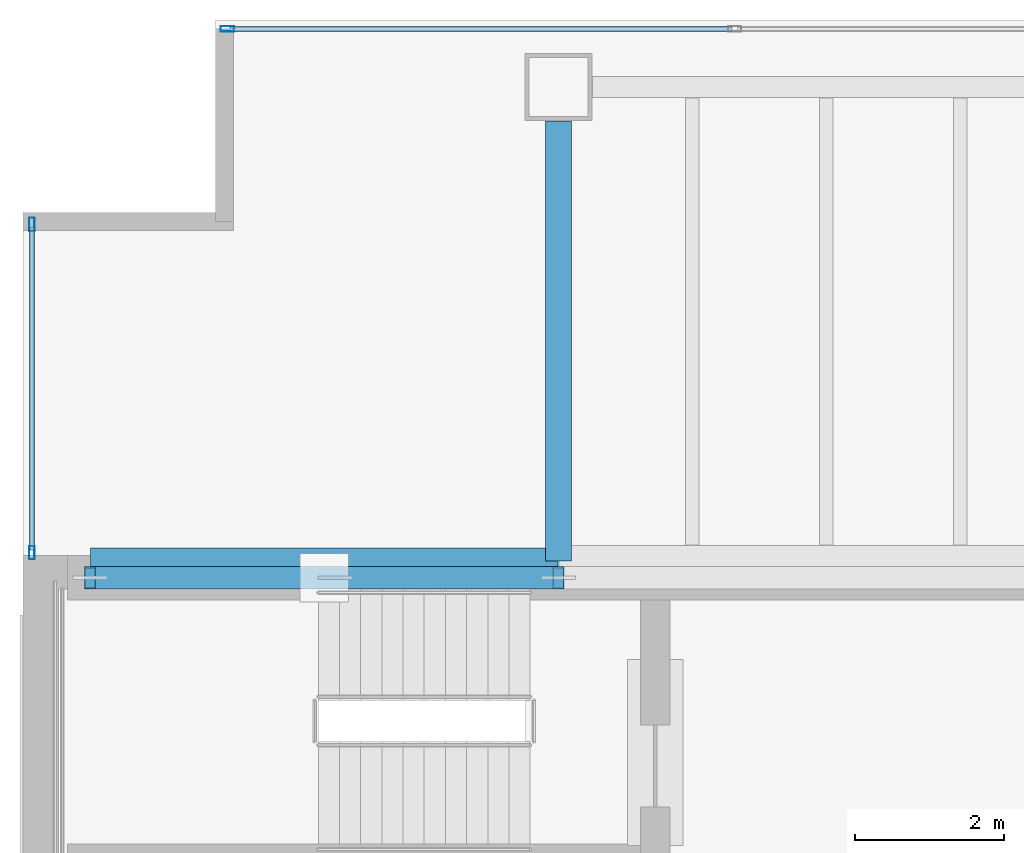
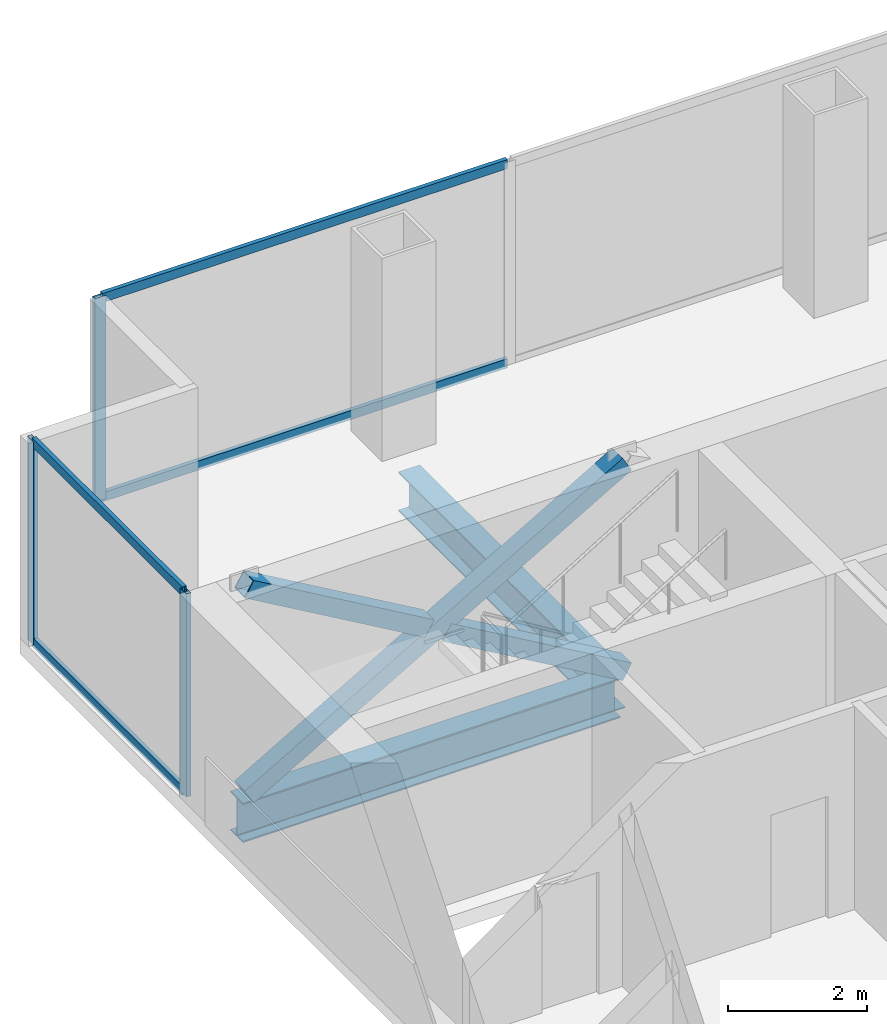
# One storey, part 16 of 23: 10 members, 2 beams, 2 elements without a shape of their own.
"""IFC4 building model written with IfcOpenShell, lengths in metres."""

from ifc_helpers import new_model, si_unit, direction, frame, origin, origin_2d, place, context, subcontext, project, spatial, hollow_rectangle, i_section, extrude, material, material_profile, profile_set, type_object, element, aggregate, save


model = new_model("IFC4")

# Units and contexts
model_context = context("Model", 3, precision=1e-05, world=origin(), true_north=direction((0.0, 1.0)))
body_context = subcontext(model_context, "Body", "Model", "MODEL_VIEW")
ifc_project = project(units=[si_unit("LENGTHUNIT", "METRE"), si_unit("AREAUNIT", "SQUARE_METRE"), si_unit("VOLUMEUNIT", "CUBIC_METRE"), si_unit("PLANEANGLEUNIT", "RADIAN"), si_unit("MASSUNIT", "GRAM", prefix="KILO")], contexts=[model_context])

# Site, building, storey
site_placement = place(None, origin())
site = spatial("IfcSite", under=ifc_project, at=site_placement, CompositionType="ELEMENT")
building_placement = place(site_placement, origin())
building = spatial("IfcBuilding", under=site, at=building_placement, Name="Cobrela Telecom Tower", CompositionType="ELEMENT")
storey_placement = place(building_placement, frame((0.0, 0.0, 140.699951171875)))
storey = spatial("IfcBuildingStorey", under=building, at=storey_placement, Name="L35", CompositionType="ELEMENT", Elevation=140.699951171875)

# Beams
ifc_material_1 = material(Name="Steel ASTM A992 Grade 50", Category="steel")
ifc_material_profile_1 = material_profile(ifc_material_1, i_section(OverallWidth=0.35595703125, OverallDepth=0.696044921875, WebThickness=0.015380859375, FlangeThickness=0.024658203125, FilletRadius=0.01806640625, at=origin_2d()), Name="W27X146")
ifc_profile_set_1 = profile_set([ifc_material_profile_1], Name="Steel ASTM A992 Grade 50")
beam_type = type_object("IfcBeamType", Name="BM-GIRD-05", PredefinedType="USERDEFINED", material=ifc_profile_set_1)
beam_1_placement = place(storey_placement, frame((0.905029296875, 35.919921875, -0.617919921875), z_axis=(1.0, 0.0, 0.0), x_axis=(0.0, 1.0, 0.0)))
element("IfcBeam", 1, at=beam_1_placement, inside=storey, type_object=beam_type, Name="L35 Primary Girder X25", ObjectType="GIRDER", PredefinedType="USERDEFINED", context=body_context, shape_type="SweptSolid", body=[
    extrude(i_section(OverallWidth=0.35595703125, OverallDepth=0.696044921875, WebThickness=0.015380859375, FlangeThickness=0.024658203125, FilletRadius=0.01806640625, at=origin_2d()), origin(), (0.0, 0.0, 1.0), 6.2900390625),
])
beam_2_placement = place(storey_placement, frame((7.199951171875, 35.925048828125, -0.617919921875), z_axis=(0.0, 1.0, 0.0), x_axis=(-1.0, 0.0, 0.0)))
element("IfcBeam", 2, at=beam_2_placement, inside=storey, type_object=beam_type, Name="L35 Primary Girder Y32", ObjectType="GIRDER", PredefinedType="USERDEFINED", context=body_context, shape_type="SweptSolid", body=[
    extrude(i_section(OverallWidth=0.35595703125, OverallDepth=0.696044921875, WebThickness=0.015380859375, FlangeThickness=0.024658203125, FilletRadius=0.01806640625, at=origin_2d()), origin(), (0.0, 0.0, 1.0), 5.919921875),
])

# Curtain wall, members
ifc_material_2 = material(Name="Anodized Bronze Aluminium 6063-T6", Category="aluminium")
curtain_wall_type = type_object("IfcCurtainWallType", Name="CW-SYS-TEL", PredefinedType="USERDEFINED", material=ifc_material_2)
curtain_wall_1_placement = place(storey_placement, origin())
curtain_wall_1 = element("IfcCurtainWall", 3, at=curtain_wall_1_placement, inside=storey, type_object=curtain_wall_type, Name="L35 Unitised Bronze Curtain Wall 04", ObjectType="UNITISED CURTAIN WALL", PredefinedType="USERDEFINED")
ifc_material_profile_2 = material_profile(ifc_material_2, hollow_rectangle(XDim=0.074951171875, YDim=0.179931640625, WallThickness=0.00390625, at=origin_2d()), Name="ALU 75x180x4")
ifc_profile_set_2 = profile_set([ifc_material_profile_2], Name="Anodized Bronze Aluminium 6063-T6")
member_type_1 = type_object("IfcMemberType", Name="CW-SYS-TEL-MUL", PredefinedType="MULLION", material=ifc_profile_set_2)
member_1_placement = place(storey_placement, frame((0.1201171875, 36.03759765625, 0.0), z_axis=(0.0, 0.0, 1.0), x_axis=(-1.0, 0.0, 0.0)))
member_1 = element("IfcMember", 4, at=member_1_placement, type_object=member_type_1, Name="CW-TEL mullion 1", PredefinedType="MULLION", context=body_context, shape_type="SweptSolid", body=[
    extrude(hollow_rectangle(XDim=0.074951171875, YDim=0.179931640625, WallThickness=0.00390625, at=origin_2d()), origin(), (0.0, 0.0, 1.0), 3.580078125),
])
member_2_placement = place(storey_placement, frame((0.1201171875, 40.452392578125, 0.0), z_axis=(0.0, 0.0, 1.0), x_axis=(-1.0, 0.0, 0.0)))
member_2 = element("IfcMember", 5, at=member_2_placement, type_object=member_type_1, Name="CW-TEL mullion 2", PredefinedType="MULLION", context=body_context, shape_type="SweptSolid", body=[
    extrude(hollow_rectangle(XDim=0.074951171875, YDim=0.179931640625, WallThickness=0.00390625, at=origin_2d()), origin(), (0.0, 0.0, 1.0), 3.580078125),
])

# Curtain wall, member
curtain_wall_2_placement = place(storey_placement, origin())
curtain_wall_2 = element("IfcCurtainWall", 6, at=curtain_wall_2_placement, inside=storey, type_object=curtain_wall_type, Name="L35 Unitised Bronze Curtain Wall 07", ObjectType="UNITISED CURTAIN WALL", PredefinedType="USERDEFINED")
member_3_placement = place(storey_placement, frame((2.74755859375, 43.080078125, 0.0), z_axis=(0.0, 0.0, 1.0), x_axis=(0.0, 1.0, 0.0)))
member_3 = element("IfcMember", 7, at=member_3_placement, type_object=member_type_1, Name="CW-TEL mullion 1", PredefinedType="MULLION", context=body_context, shape_type="SweptSolid", body=[
    extrude(hollow_rectangle(XDim=0.074951171875, YDim=0.179931640625, WallThickness=0.00390625, at=origin_2d()), origin(), (0.0, 0.0, 1.0), 3.580078125),
])

# Member
ifc_material_profile_3 = material_profile(ifc_material_2, hollow_rectangle(XDim=0.070068359375, YDim=0.159912109375, WallThickness=0.00390625, at=origin_2d()), Name="ALU 70x160x4")
ifc_profile_set_3 = profile_set([ifc_material_profile_3], Name="Anodized Bronze Aluminium 6063-T6")
member_type_2 = type_object("IfcMemberType", Name="CW-SYS-TEL-TRN", PredefinedType="USERDEFINED", material=ifc_profile_set_3)
member_4_placement = place(storey_placement, frame((0.1201171875, 36.074951171875, 0.03515625), z_axis=(0.0, 1.0, 0.0), x_axis=(-1.0, 0.0, 0.0)))
member_4 = element("IfcMember", 8, at=member_4_placement, type_object=member_type_2, Name="CW-TEL transom 1.1", ObjectType="TRANSOM", PredefinedType="USERDEFINED", context=body_context, shape_type="SweptSolid", body=[
    extrude(hollow_rectangle(XDim=0.070068359375, YDim=0.159912109375, WallThickness=0.00390625, at=origin_2d()), origin(), (0.0, 0.0, 1.0), 4.340087890625),
])

member_5_placement = place(storey_placement, frame((0.1201171875, 36.074951171875, 3.545166015625), z_axis=(0.0, 1.0, 0.0), x_axis=(-1.0, 0.0, 0.0)))
member_5 = element("IfcMember", 9, at=member_5_placement, type_object=member_type_2, Name="CW-TEL transom 1.2", ObjectType="TRANSOM", PredefinedType="USERDEFINED", context=body_context, shape_type="SweptSolid", body=[
    extrude(hollow_rectangle(XDim=0.070068359375, YDim=0.159912109375, WallThickness=0.00390625, at=origin_2d()), origin(), (0.0, 0.0, 1.0), 4.340087890625),
])

aggregate(curtain_wall_1, [member_1, member_2, member_4, member_5])

member_6_placement = place(storey_placement, frame((2.784912109375, 43.080078125, 0.03515625), z_axis=(1.0, 0.0, 0.0), x_axis=(0.0, 1.0, 0.0)))
member_6 = element("IfcMember", 10, at=member_6_placement, type_object=member_type_2, Name="CW-TEL transom 1.1", ObjectType="TRANSOM", PredefinedType="USERDEFINED", context=body_context, shape_type="SweptSolid", body=[
    extrude(hollow_rectangle(XDim=0.070068359375, YDim=0.159912109375, WallThickness=0.00390625, at=origin_2d()), origin(), (0.0, 0.0, 1.0), 6.74755859375),
])

member_7_placement = place(storey_placement, frame((2.784912109375, 43.080078125, 3.545166015625), z_axis=(1.0, 0.0, 0.0), x_axis=(0.0, 1.0, 0.0)))
member_7 = element("IfcMember", 11, at=member_7_placement, type_object=member_type_2, Name="CW-TEL transom 1.2", ObjectType="TRANSOM", PredefinedType="USERDEFINED", context=body_context, shape_type="SweptSolid", body=[
    extrude(hollow_rectangle(XDim=0.070068359375, YDim=0.159912109375, WallThickness=0.00390625, at=origin_2d()), origin(), (0.0, 0.0, 1.0), 6.74755859375),
])

aggregate(curtain_wall_2, [member_3, member_6, member_7])

# Members
ifc_material_3 = material(Name="Steel ASTM A572 Grade 50", Category="steel")
ifc_material_profile_4 = material_profile(ifc_material_3, hollow_rectangle(XDim=0.300048828125, YDim=0.300048828125, WallThickness=0.01611328125, at=origin_2d()), Name="HSS 300x300x16")
ifc_profile_set_4 = profile_set([ifc_material_profile_4], Name="Steel ASTM A572 Grade 50")
member_type_3 = type_object("IfcMemberType", Name="MBR-EXO-03", PredefinedType="BRACE", material=ifc_profile_set_4)
member_8_placement = place(storey_placement, frame((0.89990234375, 35.699951171875, -0.0400390625), z_axis=(0.864665946149, 0.0, 0.502347291791), x_axis=(0.0, 1.0, 0.0)))
element("IfcMember", 12, at=member_8_placement, inside=storey, type_object=member_type_3, Name="L35 Core Flange Steel X-Brace Continuous A", PredefinedType="BRACE", context=body_context, shape_type="SweptSolid", body=[
    extrude(hollow_rectangle(XDim=0.300048828125, YDim=0.300048828125, WallThickness=0.01611328125, at=origin_2d()), origin(), (0.0, 0.0, 1.0), 7.2861328125),
])
member_9_placement = place(storey_placement, frame((7.199951171875, 35.699951171875, -0.0400390625), z_axis=(-0.864666885148, 0.0, 0.502345675535), x_axis=(0.0, -1.0, 0.0)))
element("IfcMember", 13, at=member_9_placement, inside=storey, type_object=member_type_3, Name="L35 Core Flange Steel X-Brace Split B1", PredefinedType="BRACE", context=body_context, shape_type="SweptSolid", body=[
    extrude(hollow_rectangle(XDim=0.300048828125, YDim=0.300048828125, WallThickness=0.01611328125, at=origin_2d()), origin(), (0.0, 0.0, 1.0), 3.474853515625),
])
member_10_placement = place(storey_placement, frame((3.90478515625, 35.699951171875, 1.87451171875), z_axis=(-0.864684613256, 0.0, 0.502315159634), x_axis=(0.0, -1.0, 0.0)))
element("IfcMember", 14, at=member_10_placement, inside=storey, type_object=member_type_3, Name="L35 Core Flange Steel X-Brace Split B2", PredefinedType="BRACE", context=body_context, shape_type="SweptSolid", body=[
    extrude(hollow_rectangle(XDim=0.300048828125, YDim=0.300048828125, WallThickness=0.01611328125, at=origin_2d()), origin(), (0.0, 0.0, 1.0), 3.47509765625),
])

save(model, "model.ifc")
